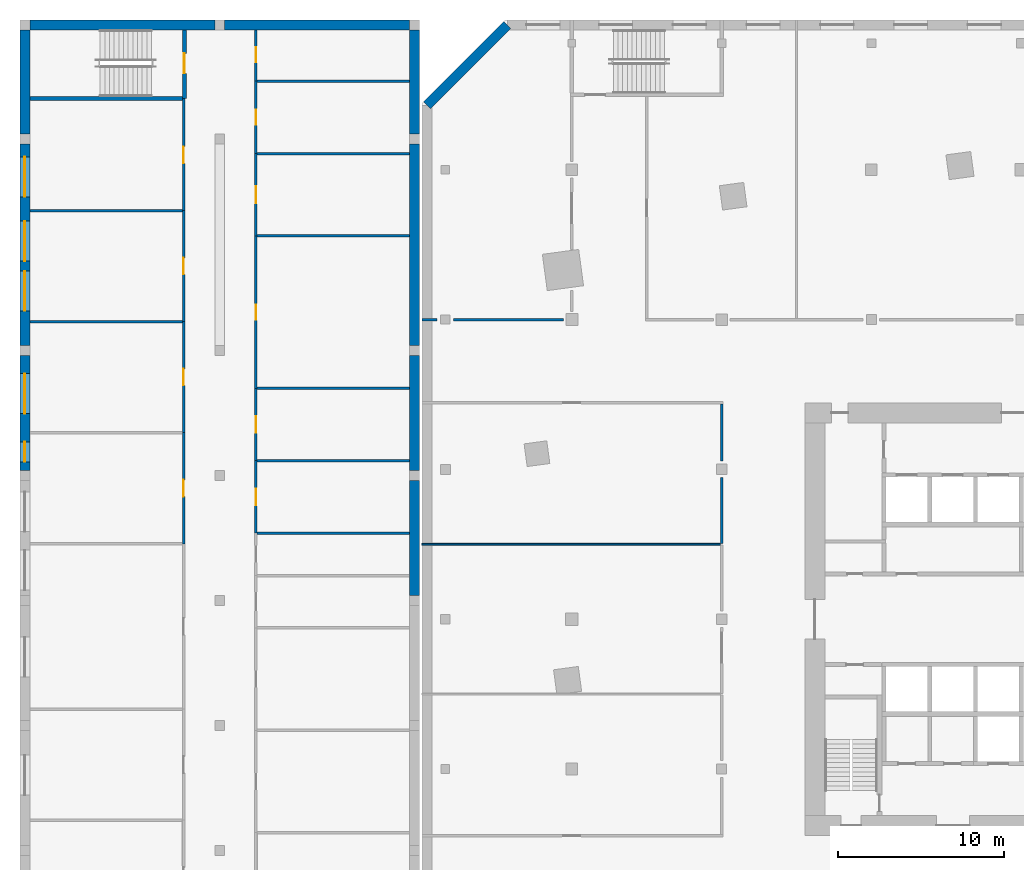
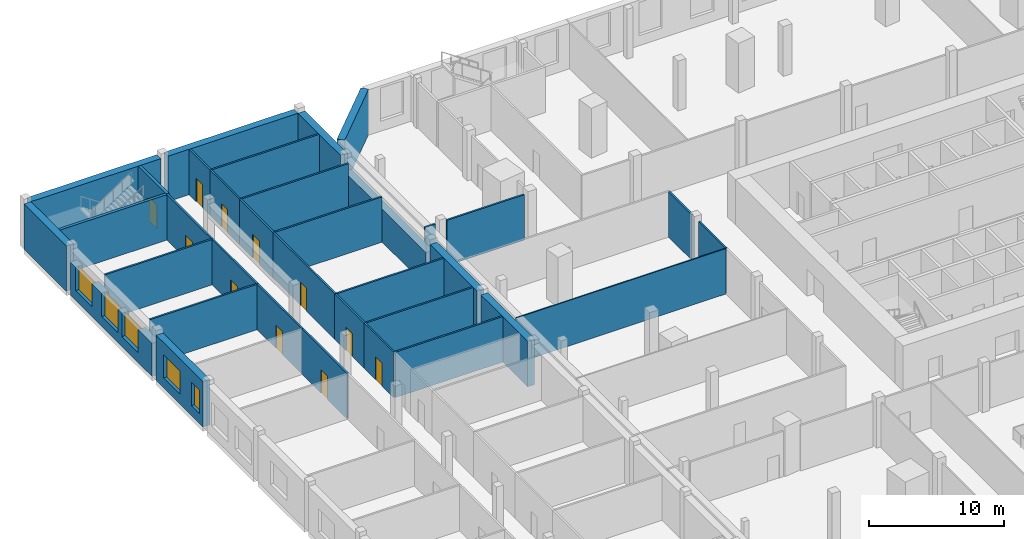
# One storey, part 10 of 20: 35 walls, 11 doors, 5 windows, 16 openings.
"""IFC4 building model written with IfcOpenShell, lengths in metres."""

from ifc_helpers import new_model, si_unit, direction, frame, frame_2d, origin, place, context, subcontext, project, spatial, rectangle, extrude, material, layer, layer_set, type_object, element, fill, save


model = new_model("IFC4")

# Units and contexts
model_context = context("Model", 3, precision=1e-05, world=origin(), true_north=direction((0.0, 1.0)))
body_context = subcontext(model_context, "Body", "Model", "MODEL_VIEW")
ifc_project = project(units=[si_unit("LENGTHUNIT", "METRE"), si_unit("AREAUNIT", "SQUARE_METRE"), si_unit("VOLUMEUNIT", "CUBIC_METRE"), si_unit("PLANEANGLEUNIT", "RADIAN"), si_unit("MASSUNIT", "GRAM", prefix="KILO")], contexts=[model_context])

# Site, building, storey
site_placement = place(None, origin())
site = spatial("IfcSite", under=ifc_project, at=site_placement, CompositionType="ELEMENT")
building_placement = place(site_placement, origin())
building = spatial("IfcBuilding", under=site, at=building_placement, Name="Dilmun Exchange Tower", CompositionType="ELEMENT")
storey_placement = place(building_placement, frame((0.0, 0.0, 9.0)))
storey = spatial("IfcBuildingStorey", under=building, at=storey_placement, Name="L02", CompositionType="ELEMENT", Elevation=9.0)

# Walls
ifc_material_1 = material(Name="Fire partition EI 60 150 gypsum")
ifc_layer_1 = layer(ifc_material_1, 0.14990234375)
ifc_layer_set_1 = layer_set([ifc_layer_1], Name="Fire partition EI 60 150 gypsum")
wall_type_1 = type_object("IfcWallType", Name="Fire partition EI 60 150 gypsum", PredefinedType="PARTITIONING", material=ifc_layer_set_1)
wall_1_placement = place(storey_placement, frame((-36.0, 18.0, 0.0), z_axis=(0.0, 0.0, 1.0), x_axis=(1.0, 0.0, 0.0)))
element("IfcWall", 1, at=wall_1_placement, inside=storey, type_object=wall_type_1, Name="L02 partition", PredefinedType="PARTITIONING", context=body_context, shape_type="SweptSolid", body=[
    extrude(rectangle(XDim=0.89990234375, YDim=0.14990234375, at=frame_2d((0.449951171875, 0.0))), origin(), (0.0, 0.0, 1.0), 4.10009765625),
])
wall_2_placement = place(storey_placement, frame((-34.10009765625, 18.0, 0.0), z_axis=(0.0, 0.0, 1.0), x_axis=(1.0, 0.0, 0.0)))
element("IfcWall", 2, at=wall_2_placement, inside=storey, type_object=wall_type_1, Name="L02 partition", PredefinedType="PARTITIONING", context=body_context, shape_type="SweptSolid", body=[
    extrude(rectangle(XDim=6.60009765625, YDim=0.14990234375, at=frame_2d((3.300048828125, 0.0))), origin(), (0.0, 0.0, 1.0), 4.10009765625),
])
wall_3_placement = place(storey_placement, frame((-18.0, 4.550048828125, 0.0), z_axis=(0.0, 0.0, 1.0), x_axis=(0.0, 1.0, 0.0)))
element("IfcWall", 3, at=wall_3_placement, inside=storey, type_object=wall_type_1, Name="L02 partition", PredefinedType="PARTITIONING", context=body_context, shape_type="SweptSolid", body=[
    extrude(rectangle(XDim=3.949951171875, YDim=0.14990234375, at=frame_2d((1.97509765625, 0.0))), origin(), (0.0, 0.0, 1.0), 4.10009765625),
])
wall_4_placement = place(storey_placement, frame((-18.0, 9.5, 0.0), z_axis=(0.0, 0.0, 1.0), x_axis=(0.0, 1.0, 0.0)))
element("IfcWall", 4, at=wall_4_placement, inside=storey, type_object=wall_type_1, Name="L02 partition", PredefinedType="PARTITIONING", context=body_context, shape_type="SweptSolid", body=[
    extrude(rectangle(XDim=3.425048828125, YDim=0.14990234375, at=frame_2d((1.71240234375, 0.0))), origin(), (0.0, 0.0, 1.0), 4.10009765625),
])
ifc_material_2 = material(Name="Partition 100 gypsum")
ifc_layer_2 = layer(ifc_material_2, 0.10009765625)
ifc_layer_set_2 = layer_set([ifc_layer_2], Name="Partition 100 gypsum")
wall_type_2 = type_object("IfcWallType", Name="Partition 100 gypsum", PredefinedType="PARTITIONING", material=ifc_layer_set_2)
wall_5_placement = place(storey_placement, frame((-36.0, 4.5, 0.0), z_axis=(0.0, 0.0, 1.0), x_axis=(1.0, 0.0, 0.0)))
element("IfcWall", 5, at=wall_5_placement, inside=storey, type_object=wall_type_2, Name="L02 partition", PredefinedType="PARTITIONING", context=body_context, shape_type="SweptSolid", body=[
    extrude(rectangle(XDim=17.925048828125, YDim=0.10009765625, at=frame_2d((8.96240234375, 0.0))), origin(), (0.0, 0.0, 1.0), 4.10009765625),
])
ifc_material_3 = material(Name="Precast concrete C50/60", Category="concrete")
ifc_layer_3 = layer(ifc_material_3, 0.60009765625)
ifc_layer_set_3 = layer_set([ifc_layer_3], Name="Precast concrete C50/60")
wall_type_3 = type_object("IfcWallType", Name="Precast stone-clad wall 600", PredefinedType="STANDARD", material=ifc_layer_set_3)
wall_6_placement = place(storey_placement, frame((-30.875732421875, 35.699951171875, 0.0), z_axis=(0.0, 0.0, 1.0), x_axis=(-0.707106781187, -0.707106781187, 0.0)))
element("IfcWall", 6, at=wall_6_placement, inside=storey, type_object=wall_type_3, Name="Facade wall L02-05-0", PredefinedType="STANDARD", context=body_context, shape_type="SweptSolid", body=[
    extrude(rectangle(XDim=6.822509765625, YDim=0.60009765625, at=frame_2d((3.4111328125, 0.0))), origin(), (0.0, 0.0, 1.0), 4.10009765625),
])

# Wall, openings, windows
ifc_material_4 = material(Name="Precast concrete C40/50", Category="concrete")
ifc_layer_4 = layer(ifc_material_4, 0.60009765625)
ifc_layer_set_4 = layer_set([ifc_layer_4], Name="Precast concrete C40/50")
wall_type_4 = type_object("IfcWallType", Name="School external wall 600 precast C40/50", PredefinedType="STANDARD", material=ifc_layer_set_4)
wall_7_placement = place(storey_placement, frame((-59.85009765625, 8.935791015625, 0.0), z_axis=(0.0, 0.0, 1.0), x_axis=(0.0, 1.0, 0.0)))
wall_7 = element("IfcWall", 7, at=wall_7_placement, inside=storey, type_object=wall_type_4, Name="School external wall", PredefinedType="STANDARD", context=body_context, shape_type="SweptSolid", body=[
    extrude(rectangle(XDim=6.914306640625, YDim=0.60009765625, at=frame_2d((3.45703125, 0.0))), origin(), (0.0, 0.0, 1.0), 4.10009765625),
])
opening_1_placement = place(wall_7_placement, frame((0.512451171875, 0.0, 0.89990234375)))
opening_1 = element("IfcOpeningElement", 8, at=opening_1_placement, cuts=wall_7, Name="Opening SCH-W12", PredefinedType="OPENING", context=body_context, shape_type="SweptSolid", body=[
    extrude(rectangle(XDim=1.199951171875, YDim=2.10009765625, at=frame_2d((0.60009765625, 1.050048828125))), frame((0.0, 0.31005859375, 0.0), z_axis=(0.0, -1.0, 0.0), x_axis=(1.0, 0.0, 0.0)), (0.0, 0.0, 1.0), 0.6201171875),
])
opening_2_placement = place(wall_7_placement, frame((3.414794921875, 0.0, 0.89990234375)))
opening_2 = element("IfcOpeningElement", 9, at=opening_2_placement, cuts=wall_7, Name="Opening SCH-W24", PredefinedType="OPENING", context=body_context, shape_type="SweptSolid", body=[
    extrude(rectangle(XDim=2.39990234375, YDim=2.10009765625, at=frame_2d((1.199951171875, 1.050048828125))), frame((0.0, 0.31005859375, 0.0), z_axis=(0.0, -1.0, 0.0), x_axis=(1.0, 0.0, 0.0)), (0.0, 0.0, 1.0), 0.6201171875),
])
ifc_material_5 = material(Name="Clear low-emissivity glass in aluminium frame", Category="aluminium")
window_type_1 = type_object("IfcWindowType", Name="School window 1200 x 2100", PartitioningType="DOUBLE_PANEL_VERTICAL", PredefinedType="WINDOW", material=ifc_material_5)
window_1_placement = place(opening_1_placement, origin())
window_1 = element("IfcWindow", 10, at=window_1_placement, inside=storey, type_object=window_type_1, Name="School window", OverallHeight=2.10009765625, OverallWidth=1.199951171875, PartitioningType="SINGLE_PANEL", PredefinedType="WINDOW", context=body_context, shape_type="SweptSolid", body=[
    extrude(rectangle(XDim=1.199951171875, YDim=2.10009765625, at=frame_2d((0.60009765625, 1.050048828125))), frame((0.0, 0.030029296875, 0.0), z_axis=(0.0, -1.0, 0.0), x_axis=(1.0, 0.0, 0.0)), (0.0, 0.0, 1.0), 0.06005859375),
])
fill(opening_1, window_1)
window_type_2 = type_object("IfcWindowType", Name="School window 2400 x 2100", PartitioningType="DOUBLE_PANEL_VERTICAL", PredefinedType="WINDOW", material=ifc_material_5)
window_2_placement = place(opening_2_placement, origin())
window_2 = element("IfcWindow", 11, at=window_2_placement, inside=storey, type_object=window_type_2, Name="School window", OverallHeight=2.10009765625, OverallWidth=2.39990234375, PartitioningType="SINGLE_PANEL", PredefinedType="WINDOW", context=body_context, shape_type="SweptSolid", body=[
    extrude(rectangle(XDim=2.39990234375, YDim=2.10009765625, at=frame_2d((1.199951171875, 1.050048828125))), frame((0.0, 0.030029296875, 0.0), z_axis=(0.0, -1.0, 0.0), x_axis=(1.0, 0.0, 0.0)), (0.0, 0.0, 1.0), 0.06005859375),
])
fill(opening_2, window_2)

wall_8_placement = place(storey_placement, frame((-59.85009765625, 16.449951171875, 0.0), z_axis=(0.0, 0.0, 1.0), x_axis=(0.0, 1.0, 0.0)))
wall_8 = element("IfcWall", 12, at=wall_8_placement, inside=storey, type_object=wall_type_4, Name="School external wall", PredefinedType="STANDARD", context=body_context, shape_type="SweptSolid", body=[
    extrude(rectangle(XDim=12.10009765625, YDim=0.60009765625, at=frame_2d((6.050048828125, 0.0))), origin(), (0.0, 0.0, 1.0), 3.0),
])
opening_3_placement = place(wall_8_placement, frame((2.069580078125, 0.0, 0.89990234375)))
opening_3 = element("IfcOpeningElement", 13, at=opening_3_placement, cuts=wall_8, Name="Opening SCH-W24", PredefinedType="OPENING", context=body_context, shape_type="SweptSolid", body=[
    extrude(rectangle(XDim=2.39990234375, YDim=2.10009765625, at=frame_2d((1.199951171875, 1.050048828125))), frame((0.0, 0.31005859375, 0.0), z_axis=(0.0, -1.0, 0.0), x_axis=(1.0, 0.0, 0.0)), (0.0, 0.0, 1.0), 0.6201171875),
])
opening_4_placement = place(wall_8_placement, frame((5.06103515625, 0.0, 0.89990234375)))
opening_4 = element("IfcOpeningElement", 14, at=opening_4_placement, cuts=wall_8, Name="Opening SCH-W24", PredefinedType="OPENING", context=body_context, shape_type="SweptSolid", body=[
    extrude(rectangle(XDim=2.39990234375, YDim=2.10009765625, at=frame_2d((1.199951171875, 1.050048828125))), frame((0.0, 0.31005859375, 0.0), z_axis=(0.0, -1.0, 0.0), x_axis=(1.0, 0.0, 0.0)), (0.0, 0.0, 1.0), 0.6201171875),
])
opening_5_placement = place(wall_8_placement, frame((8.923583984375, 0.0, 0.89990234375)))
opening_5 = element("IfcOpeningElement", 15, at=opening_5_placement, cuts=wall_8, Name="Opening SCH-W24", PredefinedType="OPENING", context=body_context, shape_type="SweptSolid", body=[
    extrude(rectangle(XDim=2.39990234375, YDim=2.10009765625, at=frame_2d((1.199951171875, 1.050048828125))), frame((0.0, 0.31005859375, 0.0), z_axis=(0.0, -1.0, 0.0), x_axis=(1.0, 0.0, 0.0)), (0.0, 0.0, 1.0), 0.6201171875),
])
window_3_placement = place(opening_3_placement, origin())
window_3 = element("IfcWindow", 16, at=window_3_placement, inside=storey, type_object=window_type_2, Name="School window", OverallHeight=2.10009765625, OverallWidth=2.39990234375, PartitioningType="SINGLE_PANEL", PredefinedType="WINDOW", context=body_context, shape_type="SweptSolid", body=[
    extrude(rectangle(XDim=2.39990234375, YDim=2.10009765625, at=frame_2d((1.199951171875, 1.050048828125))), frame((0.0, 0.030029296875, 0.0), z_axis=(0.0, -1.0, 0.0), x_axis=(1.0, 0.0, 0.0)), (0.0, 0.0, 1.0), 0.06005859375),
])
fill(opening_3, window_3)
window_4_placement = place(opening_4_placement, origin())
window_4 = element("IfcWindow", 17, at=window_4_placement, inside=storey, type_object=window_type_2, Name="School window", OverallHeight=2.10009765625, OverallWidth=2.39990234375, PartitioningType="SINGLE_PANEL", PredefinedType="WINDOW", context=body_context, shape_type="SweptSolid", body=[
    extrude(rectangle(XDim=2.39990234375, YDim=2.10009765625, at=frame_2d((1.199951171875, 1.050048828125))), frame((0.0, 0.030029296875, 0.0), z_axis=(0.0, -1.0, 0.0), x_axis=(1.0, 0.0, 0.0)), (0.0, 0.0, 1.0), 0.06005859375),
])
fill(opening_4, window_4)
window_5_placement = place(opening_5_placement, origin())
window_5 = element("IfcWindow", 18, at=window_5_placement, inside=storey, type_object=window_type_2, Name="School window", OverallHeight=2.10009765625, OverallWidth=2.39990234375, PartitioningType="SINGLE_PANEL", PredefinedType="WINDOW", context=body_context, shape_type="SweptSolid", body=[
    extrude(rectangle(XDim=2.39990234375, YDim=2.10009765625, at=frame_2d((1.199951171875, 1.050048828125))), frame((0.0, 0.030029296875, 0.0), z_axis=(0.0, -1.0, 0.0), x_axis=(1.0, 0.0, 0.0)), (0.0, 0.0, 1.0), 0.06005859375),
])
fill(opening_5, window_5)

# Walls
wall_9_placement = place(storey_placement, frame((-59.85009765625, 29.14990234375, 0.0), z_axis=(0.0, 0.0, 1.0), x_axis=(0.0, 1.0, 0.0)))
element("IfcWall", 19, at=wall_9_placement, inside=storey, type_object=wall_type_4, Name="School external wall", PredefinedType="STANDARD", context=body_context, shape_type="SweptSolid", body=[
    extrude(rectangle(XDim=6.25, YDim=0.60009765625, at=frame_2d((3.125, 0.0))), origin(), (0.0, 0.0, 1.0), 4.10009765625),
])
for number, where, z_axis, x_axis, name in (
    (20, (-59.550048828125, 35.699951171875, 0.0), (0.0, 0.0, 1.0), (1.0, 0.0, 0.0), "School external wall"),
    (21, (-47.85009765625, 35.699951171875, 0.0), (0.0, 0.0, 1.0), (1.0, 0.0, 0.0), "School external wall"),
):
    element("IfcWall", number, at=place(storey_placement, frame(where, z_axis=z_axis, x_axis=x_axis)), inside=storey, type_object=wall_type_4, Name=name, PredefinedType="STANDARD", context=body_context, shape_type="SweptSolid", body=[
        extrude(rectangle(XDim=11.10009765625, YDim=0.60009765625, at=frame_2d((5.550048828125, 0.0))), origin(), (0.0, 0.0, 1.0), 4.10009765625),
    ])
wall_10_placement = place(storey_placement, frame((-36.449951171875, 35.39990234375, 0.0), z_axis=(0.0, 0.0, 1.0), x_axis=(0.0, -1.0, 0.0)))
element("IfcWall", 22, at=wall_10_placement, inside=storey, type_object=wall_type_4, Name="School external wall", PredefinedType="STANDARD", context=body_context, shape_type="SweptSolid", body=[
    extrude(rectangle(XDim=6.25, YDim=0.60009765625, at=frame_2d((3.125, 0.0))), origin(), (0.0, 0.0, 1.0), 4.10009765625),
])
wall_11_placement = place(storey_placement, frame((-36.449951171875, 28.550048828125, 0.0), z_axis=(0.0, 0.0, 1.0), x_axis=(0.0, -1.0, 0.0)))
element("IfcWall", 23, at=wall_11_placement, inside=storey, type_object=wall_type_4, Name="School external wall", PredefinedType="STANDARD", context=body_context, shape_type="SweptSolid", body=[
    extrude(rectangle(XDim=12.10009765625, YDim=0.60009765625, at=frame_2d((6.050048828125, 0.0))), origin(), (0.0, 0.0, 1.0), 3.0),
])
for number, where, z_axis, x_axis, name in (
    (24, (-36.449951171875, 15.85009765625, 0.0), (0.0, 0.0, 1.0), (0.0, -1.0, 0.0), "School external wall"),
    (25, (-36.449951171875, 8.335693359375, 0.0), (0.0, 0.0, 1.0), (0.0, -1.0, 0.0), "School external wall"),
):
    element("IfcWall", number, at=place(storey_placement, frame(where, z_axis=z_axis, x_axis=x_axis)), inside=storey, type_object=wall_type_4, Name=name, PredefinedType="STANDARD", context=body_context, shape_type="SweptSolid", body=[
        extrude(rectangle(XDim=6.914306640625, YDim=0.60009765625, at=frame_2d((3.45703125, 0.0))), origin(), (0.0, 0.0, 1.0), 4.10009765625),
    ])
ifc_material_6 = material(Name="Gypsum board on steel studs", Category="steel")
ifc_layer_5 = layer(ifc_material_6, 0.14990234375)
ifc_layer_set_5 = layer_set([ifc_layer_5], Name="Gypsum board on steel studs")
wall_type_5 = type_object("IfcWallType", Name="School partition 150 gypsum board", PredefinedType="PARTITIONING", material=ifc_layer_set_5)
for number, where, z_axis, x_axis, name in (
    (26, (-59.550048828125, 17.87890625, 0.0), (0.0, 0.0, 1.0), (1.0, 0.0, 0.0), "School partition"),
    (27, (-59.550048828125, 24.552001953125, 0.0), (0.0, 0.0, 1.0), (1.0, 0.0, 0.0), "School partition"),
):
    element("IfcWall", number, at=place(storey_placement, frame(where, z_axis=z_axis, x_axis=x_axis)), inside=storey, type_object=wall_type_5, Name=name, PredefinedType="PARTITIONING", context=body_context, shape_type="SweptSolid", body=[
        extrude(rectangle(XDim=9.150146484375, YDim=0.14990234375, at=frame_2d((4.5751953125, 0.0))), origin(), (0.0, 0.0, 1.0), 4.10009765625),
    ])

# Wall, opening, door
wall_12_placement = place(storey_placement, frame((-50.324951171875, 4.53271484375, 0.0), z_axis=(0.0, 0.0, 1.0), x_axis=(0.0, 1.0, 0.0)))
wall_12 = element("IfcWall", 28, at=wall_12_placement, inside=storey, type_object=wall_type_5, Name="School corridor wall", PredefinedType="PARTITIONING", context=body_context, shape_type="SweptSolid", body=[
    extrude(rectangle(XDim=6.673095703125, YDim=0.14990234375, at=frame_2d((3.33642578125, 0.0))), origin(), (0.0, 0.0, 1.0), 4.10009765625),
])
opening_6_placement = place(wall_12_placement, frame((2.836669921875, 0.0, 0.0)))
opening_6 = element("IfcOpeningElement", 29, at=opening_6_placement, cuts=wall_12, Name="Opening SCH-D1", PredefinedType="OPENING", context=body_context, shape_type="SweptSolid", body=[
    extrude(rectangle(XDim=1.0, YDim=2.10009765625, at=frame_2d((0.5, 1.050048828125))), frame((0.0, 0.0849609375, 0.0), z_axis=(0.0, -1.0, 0.0), x_axis=(1.0, 0.0, 0.0)), (0.0, 0.0, 1.0), 0.169921875),
])
ifc_material_7 = material(Name="Timber door leaf in steel frame", Category="steel")
door_type_1 = type_object("IfcDoorType", Name="School door FD30S 1000 x 2100", OperationType="NOTDEFINED", PredefinedType="DOOR", material=ifc_material_7)
door_1_placement = place(opening_6_placement, origin())
door_1 = element("IfcDoor", 30, at=door_1_placement, inside=storey, type_object=door_type_1, Name="Classroom door", OperationType="SINGLE_SWING_RIGHT", OverallHeight=2.10009765625, OverallWidth=1.0, PredefinedType="DOOR", context=body_context, shape_type="SweptSolid", body=[
    extrude(rectangle(XDim=1.0, YDim=2.10009765625, at=frame_2d((0.5, 1.050048828125))), frame((0.0, 0.02490234375, 0.0), z_axis=(0.0, -1.0, 0.0), x_axis=(1.0, 0.0, 0.0)), (0.0, 0.0, 1.0), 0.050048828125),
])
fill(opening_6, door_1)

wall_13_placement = place(storey_placement, frame((-50.324951171875, 11.205810546875, 0.0), z_axis=(0.0, 0.0, 1.0), x_axis=(0.0, 1.0, 0.0)))
wall_13 = element("IfcWall", 31, at=wall_13_placement, inside=storey, type_object=wall_type_5, Name="School corridor wall", PredefinedType="PARTITIONING", context=body_context, shape_type="SweptSolid", body=[
    extrude(rectangle(XDim=6.673095703125, YDim=0.14990234375, at=frame_2d((3.33642578125, 0.0))), origin(), (0.0, 0.0, 1.0), 4.10009765625),
])
opening_7_placement = place(wall_13_placement, frame((2.83642578125, 0.0, 0.0)))
opening_7 = element("IfcOpeningElement", 32, at=opening_7_placement, cuts=wall_13, Name="Opening SCH-D1", PredefinedType="OPENING", context=body_context, shape_type="SweptSolid", body=[
    extrude(rectangle(XDim=1.0, YDim=2.10009765625, at=frame_2d((0.5, 1.050048828125))), frame((0.0, 0.0849609375, 0.0), z_axis=(0.0, -1.0, 0.0), x_axis=(1.0, 0.0, 0.0)), (0.0, 0.0, 1.0), 0.169921875),
])
door_2_placement = place(opening_7_placement, origin())
door_2 = element("IfcDoor", 33, at=door_2_placement, inside=storey, type_object=door_type_1, Name="Classroom door", OperationType="SINGLE_SWING_LEFT", OverallHeight=2.10009765625, OverallWidth=1.0, PredefinedType="DOOR", context=body_context, shape_type="SweptSolid", body=[
    extrude(rectangle(XDim=1.0, YDim=2.10009765625, at=frame_2d((0.5, 1.050048828125))), frame((0.0, 0.02490234375, 0.0), z_axis=(0.0, -1.0, 0.0), x_axis=(1.0, 0.0, 0.0)), (0.0, 0.0, 1.0), 0.050048828125),
])
fill(opening_7, door_2)

wall_14_placement = place(storey_placement, frame((-50.324951171875, 17.87890625, 0.0), z_axis=(0.0, 0.0, 1.0), x_axis=(0.0, 1.0, 0.0)))
wall_14 = element("IfcWall", 34, at=wall_14_placement, inside=storey, type_object=wall_type_5, Name="School corridor wall", PredefinedType="PARTITIONING", context=body_context, shape_type="SweptSolid", body=[
    extrude(rectangle(XDim=6.673095703125, YDim=0.14990234375, at=frame_2d((3.33642578125, 0.0))), origin(), (0.0, 0.0, 1.0), 4.10009765625),
])
opening_8_placement = place(wall_14_placement, frame((2.83642578125, 0.0, 0.0)))
opening_8 = element("IfcOpeningElement", 35, at=opening_8_placement, cuts=wall_14, Name="Opening SCH-D1", PredefinedType="OPENING", context=body_context, shape_type="SweptSolid", body=[
    extrude(rectangle(XDim=1.0, YDim=2.10009765625, at=frame_2d((0.5, 1.050048828125))), frame((0.0, 0.0849609375, 0.0), z_axis=(0.0, -1.0, 0.0), x_axis=(1.0, 0.0, 0.0)), (0.0, 0.0, 1.0), 0.169921875),
])
door_3_placement = place(opening_8_placement, origin())
door_3 = element("IfcDoor", 36, at=door_3_placement, inside=storey, type_object=door_type_1, Name="Geography classroom door", OperationType="SINGLE_SWING_RIGHT", OverallHeight=2.10009765625, OverallWidth=1.0, PredefinedType="DOOR", context=body_context, shape_type="SweptSolid", body=[
    extrude(rectangle(XDim=1.0, YDim=2.10009765625, at=frame_2d((0.5, 1.050048828125))), frame((0.0, 0.02490234375, 0.0), z_axis=(0.0, -1.0, 0.0), x_axis=(1.0, 0.0, 0.0)), (0.0, 0.0, 1.0), 0.050048828125),
])
fill(opening_8, door_3)

wall_15_placement = place(storey_placement, frame((-50.324951171875, 24.552001953125, 0.0), z_axis=(0.0, 0.0, 1.0), x_axis=(0.0, 1.0, 0.0)))
wall_15 = element("IfcWall", 37, at=wall_15_placement, inside=storey, type_object=wall_type_5, Name="School corridor wall", PredefinedType="PARTITIONING", context=body_context, shape_type="SweptSolid", body=[
    extrude(rectangle(XDim=6.722900390625, YDim=0.14990234375, at=frame_2d((3.361328125, 0.0))), origin(), (0.0, 0.0, 1.0), 4.10009765625),
])
opening_9_placement = place(wall_15_placement, frame((2.83642578125, 0.0, 0.0)))
opening_9 = element("IfcOpeningElement", 38, at=opening_9_placement, cuts=wall_15, Name="Opening SCH-D1", PredefinedType="OPENING", context=body_context, shape_type="SweptSolid", body=[
    extrude(rectangle(XDim=1.0, YDim=2.10009765625, at=frame_2d((0.5, 1.050048828125))), frame((0.0, 0.0849609375, 0.0), z_axis=(0.0, -1.0, 0.0), x_axis=(1.0, 0.0, 0.0)), (0.0, 0.0, 1.0), 0.169921875),
])
door_4_placement = place(opening_9_placement, origin())
door_4 = element("IfcDoor", 39, at=door_4_placement, inside=storey, type_object=door_type_1, Name="Classroom door", OperationType="SINGLE_SWING_LEFT", OverallHeight=2.10009765625, OverallWidth=1.0, PredefinedType="DOOR", context=body_context, shape_type="SweptSolid", body=[
    extrude(rectangle(XDim=1.0, YDim=2.10009765625, at=frame_2d((0.5, 1.050048828125))), frame((0.0, 0.02490234375, 0.0), z_axis=(0.0, -1.0, 0.0), x_axis=(1.0, 0.0, 0.0)), (0.0, 0.0, 1.0), 0.050048828125),
])
fill(opening_9, door_4)

# Walls
for number, where, z_axis, x_axis, name in (
    (40, (-45.89990234375, 5.175048828125, 0.0), (0.0, 0.0, 1.0), (1.0, 0.0, 0.0), "School partition"),
    (41, (-45.89990234375, 9.52490234375, 0.0), (0.0, 0.0, 1.0), (1.0, 0.0, 0.0), "School partition"),
    (42, (-45.89990234375, 13.875, 0.0), (0.0, 0.0, 1.0), (1.0, 0.0, 0.0), "School partition"),
    (43, (-45.89990234375, 23.02490234375, 0.0), (0.0, 0.0, 1.0), (1.0, 0.0, 0.0), "School partition"),
    (44, (-45.89990234375, 27.97509765625, 0.0), (0.0, 0.0, 1.0), (1.0, 0.0, 0.0), "School partition"),
    (45, (-45.89990234375, 32.324951171875, 0.0), (0.0, 0.0, 1.0), (1.0, 0.0, 0.0), "School partition"),
):
    element("IfcWall", number, at=place(storey_placement, frame(where, z_axis=z_axis, x_axis=x_axis)), inside=storey, type_object=wall_type_5, Name=name, PredefinedType="PARTITIONING", context=body_context, shape_type="SweptSolid", body=[
        extrude(rectangle(XDim=9.14990234375, YDim=0.14990234375, at=frame_2d((4.574951171875, 0.0))), origin(), (0.0, 0.0, 1.0), 4.10009765625),
    ])

# Wall, opening, door
wall_16_placement = place(storey_placement, frame((-45.97509765625, 5.175048828125, 0.0), z_axis=(0.0, 0.0, 1.0), x_axis=(0.0, 1.0, 0.0)))
wall_16 = element("IfcWall", 46, at=wall_16_placement, inside=storey, type_object=wall_type_5, Name="School corridor wall", PredefinedType="PARTITIONING", context=body_context, shape_type="SweptSolid", body=[
    extrude(rectangle(XDim=4.349853515625, YDim=0.14990234375, at=frame_2d((2.1748046875, 0.0))), origin(), (0.0, 0.0, 1.0), 4.10009765625),
])
opening_10_placement = place(wall_16_placement, frame((1.675048828125, 0.0, 0.0)))
opening_10 = element("IfcOpeningElement", 47, at=opening_10_placement, cuts=wall_16, Name="Opening SCH-D1", PredefinedType="OPENING", context=body_context, shape_type="SweptSolid", body=[
    extrude(rectangle(XDim=1.0, YDim=2.10009765625, at=frame_2d((0.5, 1.050048828125))), frame((0.0, 0.0849609375, 0.0), z_axis=(0.0, -1.0, 0.0), x_axis=(1.0, 0.0, 0.0)), (0.0, 0.0, 1.0), 0.169921875),
])
door_5_placement = place(opening_10_placement, origin())
door_5 = element("IfcDoor", 48, at=door_5_placement, inside=storey, type_object=door_type_1, Name="Interview room door", OperationType="SINGLE_SWING_RIGHT", OverallHeight=2.10009765625, OverallWidth=1.0, PredefinedType="DOOR", context=body_context, shape_type="SweptSolid", body=[
    extrude(rectangle(XDim=1.0, YDim=2.10009765625, at=frame_2d((0.5, 1.050048828125))), frame((0.0, 0.02490234375, 0.0), z_axis=(0.0, -1.0, 0.0), x_axis=(1.0, 0.0, 0.0)), (0.0, 0.0, 1.0), 0.050048828125),
])
fill(opening_10, door_5)

wall_17_placement = place(storey_placement, frame((-45.97509765625, 9.52490234375, 0.0), z_axis=(0.0, 0.0, 1.0), x_axis=(0.0, 1.0, 0.0)))
wall_17 = element("IfcWall", 49, at=wall_17_placement, inside=storey, type_object=wall_type_5, Name="School corridor wall", PredefinedType="PARTITIONING", context=body_context, shape_type="SweptSolid", body=[
    extrude(rectangle(XDim=4.35009765625, YDim=0.14990234375, at=frame_2d((2.175048828125, 0.0))), origin(), (0.0, 0.0, 1.0), 4.10009765625),
])
opening_11_placement = place(wall_17_placement, frame((1.675048828125, 0.0, 0.0)))
opening_11 = element("IfcOpeningElement", 50, at=opening_11_placement, cuts=wall_17, Name="Opening SCH-D1", PredefinedType="OPENING", context=body_context, shape_type="SweptSolid", body=[
    extrude(rectangle(XDim=1.0, YDim=2.10009765625, at=frame_2d((0.5, 1.050048828125))), frame((0.0, 0.0849609375, 0.0), z_axis=(0.0, -1.0, 0.0), x_axis=(1.0, 0.0, 0.0)), (0.0, 0.0, 1.0), 0.169921875),
])
door_6_placement = place(opening_11_placement, origin())
door_6 = element("IfcDoor", 51, at=door_6_placement, inside=storey, type_object=door_type_1, Name="Interview room door", OperationType="SINGLE_SWING_LEFT", OverallHeight=2.10009765625, OverallWidth=1.0, PredefinedType="DOOR", context=body_context, shape_type="SweptSolid", body=[
    extrude(rectangle(XDim=1.0, YDim=2.10009765625, at=frame_2d((0.5, 1.050048828125))), frame((0.0, 0.02490234375, 0.0), z_axis=(0.0, -1.0, 0.0), x_axis=(1.0, 0.0, 0.0)), (0.0, 0.0, 1.0), 0.050048828125),
])
fill(opening_11, door_6)

wall_18_placement = place(storey_placement, frame((-45.97509765625, 13.875, 0.0), z_axis=(0.0, 0.0, 1.0), x_axis=(0.0, 1.0, 0.0)))
wall_18 = element("IfcWall", 52, at=wall_18_placement, inside=storey, type_object=wall_type_5, Name="School corridor wall", PredefinedType="PARTITIONING", context=body_context, shape_type="SweptSolid", body=[
    extrude(rectangle(XDim=9.14990234375, YDim=0.14990234375, at=frame_2d((4.574951171875, 0.0))), origin(), (0.0, 0.0, 1.0), 4.10009765625),
])
opening_12_placement = place(wall_18_placement, frame((4.125, 0.0, 0.0)))
opening_12 = element("IfcOpeningElement", 53, at=opening_12_placement, cuts=wall_18, Name="Opening SCH-D2", PredefinedType="OPENING", context=body_context, shape_type="SweptSolid", body=[
    extrude(rectangle(XDim=0.89990234375, YDim=2.10009765625, at=frame_2d((0.449951171875, 1.050048828125))), frame((0.0, 0.0849609375, 0.0), z_axis=(0.0, -1.0, 0.0), x_axis=(1.0, 0.0, 0.0)), (0.0, 0.0, 1.0), 0.169921875),
])
door_type_2 = type_object("IfcDoorType", Name="School door FD30S 900 x 2100", OperationType="NOTDEFINED", PredefinedType="DOOR", material=ifc_material_7)
door_7_placement = place(opening_12_placement, origin())
door_7 = element("IfcDoor", 54, at=door_7_placement, inside=storey, type_object=door_type_2, Name="Teachers' resource room door", OperationType="SINGLE_SWING_RIGHT", OverallHeight=2.10009765625, OverallWidth=0.89990234375, PredefinedType="DOOR", context=body_context, shape_type="SweptSolid", body=[
    extrude(rectangle(XDim=0.89990234375, YDim=2.10009765625, at=frame_2d((0.449951171875, 1.050048828125))), frame((0.0, 0.02490234375, 0.0), z_axis=(0.0, -1.0, 0.0), x_axis=(1.0, 0.0, 0.0)), (0.0, 0.0, 1.0), 0.050048828125),
])
fill(opening_12, door_7)

wall_19_placement = place(storey_placement, frame((-45.97509765625, 23.02490234375, 0.0), z_axis=(0.0, 0.0, 1.0), x_axis=(0.0, 1.0, 0.0)))
wall_19 = element("IfcWall", 55, at=wall_19_placement, inside=storey, type_object=wall_type_5, Name="School corridor wall", PredefinedType="PARTITIONING", context=body_context, shape_type="SweptSolid", body=[
    extrude(rectangle(XDim=4.9501953125, YDim=0.14990234375, at=frame_2d((2.47509765625, 0.0))), origin(), (0.0, 0.0, 1.0), 4.10009765625),
])
opening_13_placement = place(wall_19_placement, frame((1.97509765625, 0.0, 0.0)))
opening_13 = element("IfcOpeningElement", 56, at=opening_13_placement, cuts=wall_19, Name="Opening SCH-D1", PredefinedType="OPENING", context=body_context, shape_type="SweptSolid", body=[
    extrude(rectangle(XDim=1.0, YDim=2.10009765625, at=frame_2d((0.5, 1.050048828125))), frame((0.0, 0.0849609375, 0.0), z_axis=(0.0, -1.0, 0.0), x_axis=(1.0, 0.0, 0.0)), (0.0, 0.0, 1.0), 0.169921875),
])
door_8_placement = place(opening_13_placement, origin())
door_8 = element("IfcDoor", 57, at=door_8_placement, inside=storey, type_object=door_type_1, Name="Counselling room door", OperationType="SINGLE_SWING_LEFT", OverallHeight=2.10009765625, OverallWidth=1.0, PredefinedType="DOOR", context=body_context, shape_type="SweptSolid", body=[
    extrude(rectangle(XDim=1.0, YDim=2.10009765625, at=frame_2d((0.5, 1.050048828125))), frame((0.0, 0.02490234375, 0.0), z_axis=(0.0, -1.0, 0.0), x_axis=(1.0, 0.0, 0.0)), (0.0, 0.0, 1.0), 0.050048828125),
])
fill(opening_13, door_8)

wall_20_placement = place(storey_placement, frame((-45.97509765625, 27.97509765625, 0.0), z_axis=(0.0, 0.0, 1.0), x_axis=(0.0, 1.0, 0.0)))
wall_20 = element("IfcWall", 58, at=wall_20_placement, inside=storey, type_object=wall_type_5, Name="School corridor wall", PredefinedType="PARTITIONING", context=body_context, shape_type="SweptSolid", body=[
    extrude(rectangle(XDim=4.349853515625, YDim=0.14990234375, at=frame_2d((2.1748046875, 0.0))), origin(), (0.0, 0.0, 1.0), 4.10009765625),
])
opening_14_placement = place(wall_20_placement, frame((1.72509765625, 0.0, 0.0)))
opening_14 = element("IfcOpeningElement", 59, at=opening_14_placement, cuts=wall_20, Name="Opening SCH-D2", PredefinedType="OPENING", context=body_context, shape_type="SweptSolid", body=[
    extrude(rectangle(XDim=0.89990234375, YDim=2.10009765625, at=frame_2d((0.449951171875, 1.050048828125))), frame((0.0, 0.0849609375, 0.0), z_axis=(0.0, -1.0, 0.0), x_axis=(1.0, 0.0, 0.0)), (0.0, 0.0, 1.0), 0.169921875),
])
door_9_placement = place(opening_14_placement, origin())
door_9 = element("IfcDoor", 60, at=door_9_placement, inside=storey, type_object=door_type_2, Name="Staff WC door", OperationType="SINGLE_SWING_RIGHT", OverallHeight=2.10009765625, OverallWidth=0.89990234375, PredefinedType="DOOR", context=body_context, shape_type="SweptSolid", body=[
    extrude(rectangle(XDim=0.89990234375, YDim=2.10009765625, at=frame_2d((0.449951171875, 1.050048828125))), frame((0.0, 0.02490234375, 0.0), z_axis=(0.0, -1.0, 0.0), x_axis=(1.0, 0.0, 0.0)), (0.0, 0.0, 1.0), 0.050048828125),
])
fill(opening_14, door_9)

wall_21_placement = place(storey_placement, frame((-45.97509765625, 32.324951171875, 0.0), z_axis=(0.0, 0.0, 1.0), x_axis=(0.0, 1.0, 0.0)))
wall_21 = element("IfcWall", 61, at=wall_21_placement, inside=storey, type_object=wall_type_5, Name="School corridor wall", PredefinedType="PARTITIONING", context=body_context, shape_type="SweptSolid", body=[
    extrude(rectangle(XDim=3.074951171875, YDim=0.14990234375, at=frame_2d((1.53759765625, 0.0))), origin(), (0.0, 0.0, 1.0), 4.10009765625),
])
opening_15_placement = place(wall_21_placement, frame((1.125, 0.0, 0.0)))
opening_15 = element("IfcOpeningElement", 62, at=opening_15_placement, cuts=wall_21, Name="Opening SCH-D2", PredefinedType="OPENING", context=body_context, shape_type="SweptSolid", body=[
    extrude(rectangle(XDim=0.89990234375, YDim=2.10009765625, at=frame_2d((0.449951171875, 1.050048828125))), frame((0.0, 0.0849609375, 0.0), z_axis=(0.0, -1.0, 0.0), x_axis=(1.0, 0.0, 0.0)), (0.0, 0.0, 1.0), 0.169921875),
])
door_10_placement = place(opening_15_placement, origin())
door_10 = element("IfcDoor", 63, at=door_10_placement, inside=storey, type_object=door_type_2, Name="Electrical riser room door", OperationType="SINGLE_SWING_LEFT", OverallHeight=2.10009765625, OverallWidth=0.89990234375, PredefinedType="DOOR", context=body_context, shape_type="SweptSolid", body=[
    extrude(rectangle(XDim=0.89990234375, YDim=2.10009765625, at=frame_2d((0.449951171875, 1.050048828125))), frame((0.0, 0.02490234375, 0.0), z_axis=(0.0, -1.0, 0.0), x_axis=(1.0, 0.0, 0.0)), (0.0, 0.0, 1.0), 0.050048828125),
])
fill(opening_15, door_10)

# Wall
ifc_material_8 = material(Name="Concrete C40/50", Category="concrete")
ifc_layer_6 = layer(ifc_material_8, 0.25)
ifc_layer_set_6 = layer_set([ifc_layer_6], Name="Concrete C40/50")
wall_type_6 = type_object("IfcWallType", Name="School stair and lift wall 250 C40/50", PredefinedType="SHEAR", material=ifc_layer_set_6)
wall_22_placement = place(storey_placement, frame((-59.550048828125, 31.27490234375, 0.0), z_axis=(0.0, 0.0, 1.0), x_axis=(1.0, 0.0, 0.0)))
element("IfcWall", 64, at=wall_22_placement, inside=storey, type_object=wall_type_6, Name="School stair or lift wall", PredefinedType="SHEAR", context=body_context, shape_type="SweptSolid", body=[
    extrude(rectangle(XDim=9.150146484375, YDim=0.25, at=frame_2d((4.5751953125, 0.0))), origin(), (0.0, 0.0, 1.0), 4.10009765625),
])

# Wall, opening, door
wall_23_placement = place(storey_placement, frame((-50.27490234375, 31.27490234375, 0.0), z_axis=(0.0, 0.0, 1.0), x_axis=(0.0, 1.0, 0.0)))
wall_23 = element("IfcWall", 65, at=wall_23_placement, inside=storey, type_object=wall_type_6, Name="School corridor wall", PredefinedType="SHEAR", context=body_context, shape_type="SweptSolid", body=[
    extrude(rectangle(XDim=4.125, YDim=0.25, at=frame_2d((2.0625, 0.0))), origin(), (0.0, 0.0, 1.0), 4.10009765625),
])
opening_16_placement = place(wall_23_placement, frame((1.52490234375, 0.0, 0.0)))
opening_16 = element("IfcOpeningElement", 66, at=opening_16_placement, cuts=wall_23, Name="Opening SCH-D3", PredefinedType="OPENING", context=body_context, shape_type="SweptSolid", body=[
    extrude(rectangle(XDim=1.199951171875, YDim=2.10009765625, at=frame_2d((0.60009765625, 1.050048828125))), frame((0.0, 0.135009765625, 0.0), z_axis=(0.0, -1.0, 0.0), x_axis=(1.0, 0.0, 0.0)), (0.0, 0.0, 1.0), 0.27001953125),
])
door_type_3 = type_object("IfcDoorType", Name="School stair door FD60 1200 x 2100", OperationType="NOTDEFINED", PredefinedType="DOOR", material=ifc_material_7)
door_11_placement = place(opening_16_placement, origin())
door_11 = element("IfcDoor", 67, at=door_11_placement, inside=storey, type_object=door_type_3, Name="Stair S1 door", OperationType="SINGLE_SWING_RIGHT", OverallHeight=2.10009765625, OverallWidth=1.199951171875, PredefinedType="DOOR", context=body_context, shape_type="SweptSolid", body=[
    extrude(rectangle(XDim=1.199951171875, YDim=2.10009765625, at=frame_2d((0.60009765625, 1.050048828125))), frame((0.0, 0.02490234375, 0.0), z_axis=(0.0, -1.0, 0.0), x_axis=(1.0, 0.0, 0.0)), (0.0, 0.0, 1.0), 0.050048828125),
])
fill(opening_16, door_11)

save(model, "model.ifc")
